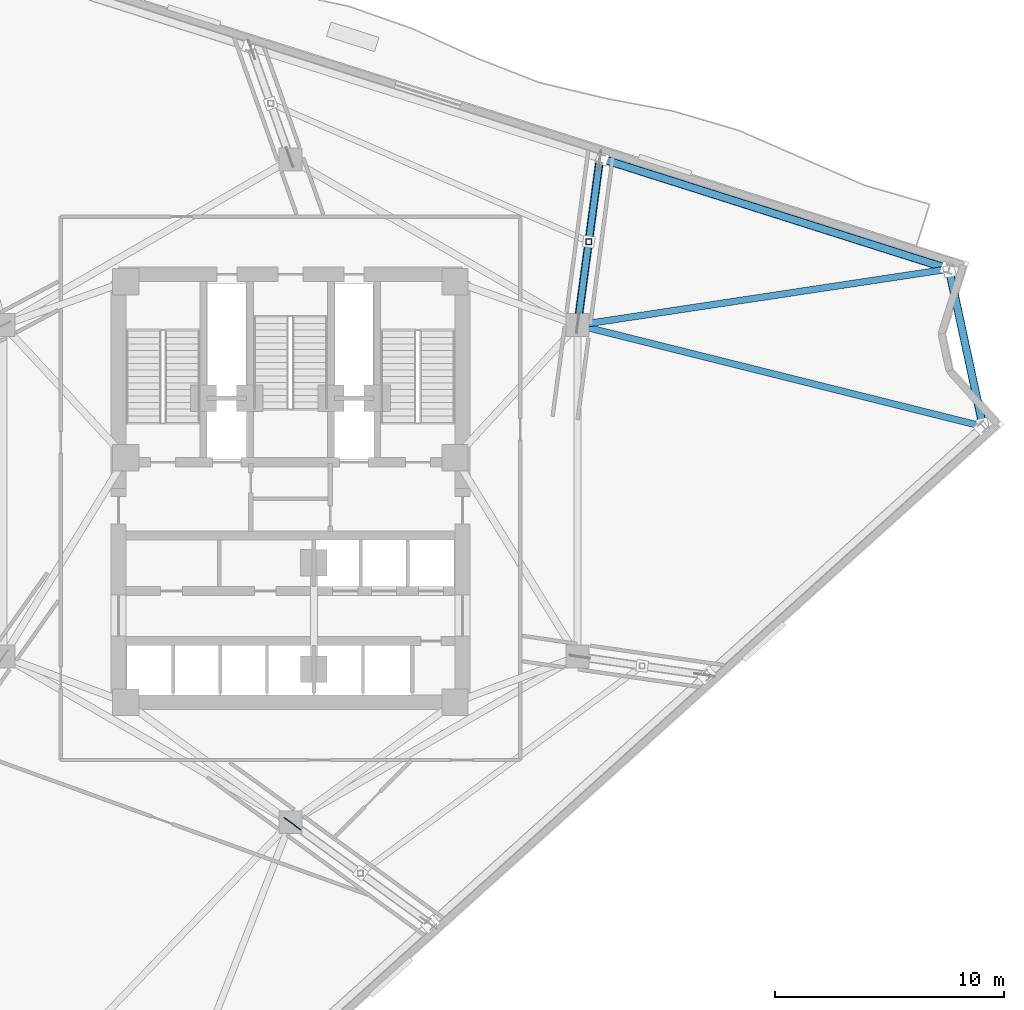
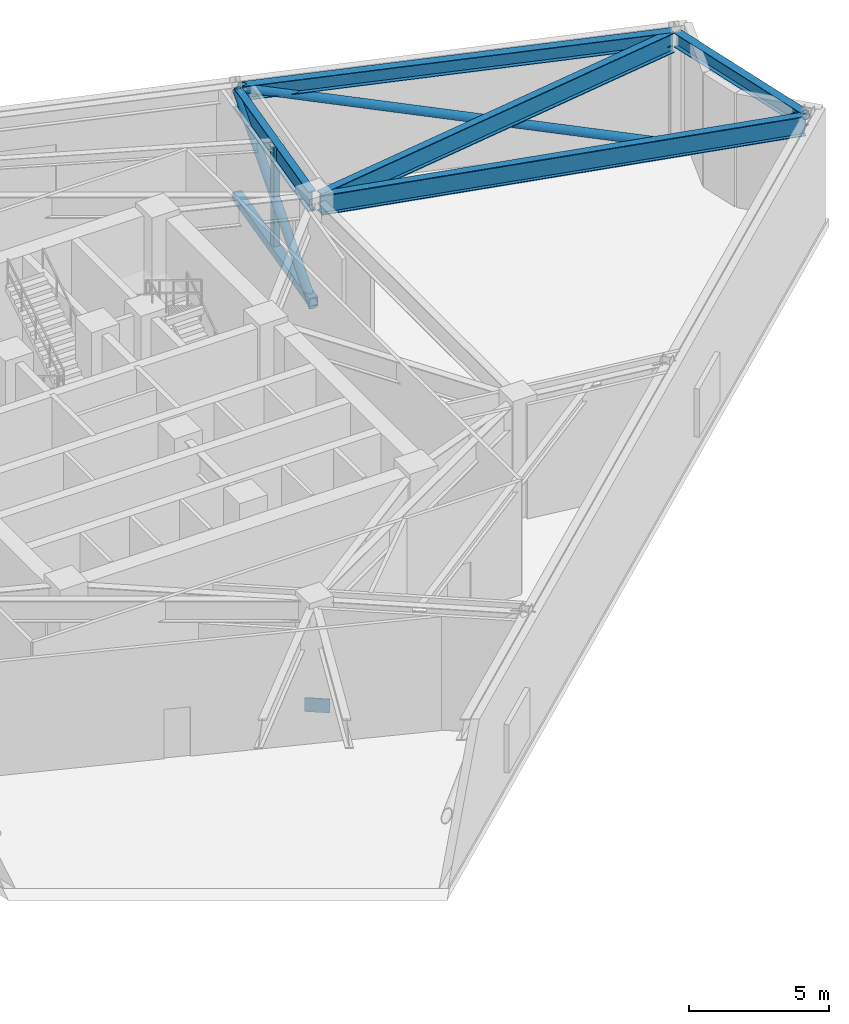
# One storey, part 7 of 16: 5 beams, 5 members, 1 plate.
"""IFC4 building model written with IfcOpenShell, lengths in metres."""

from ifc_helpers import new_model, si_unit, direction, frame, origin, origin_2d, place, context, subcontext, project, spatial, rectangle, hollow_rectangle, hollow_circle, i_section, extrude, material, layer, layer_set, material_profile, profile_set, type_object, element, save


model = new_model("IFC4")

# Units and contexts
model_context = context("Model", 3, precision=1e-05, world=origin(), true_north=direction((0.0, 1.0)))
body_context = subcontext(model_context, "Body", "Model", "MODEL_VIEW")
ifc_project = project(units=[si_unit("LENGTHUNIT", "METRE"), si_unit("AREAUNIT", "SQUARE_METRE"), si_unit("VOLUMEUNIT", "CUBIC_METRE"), si_unit("PLANEANGLEUNIT", "RADIAN"), si_unit("MASSUNIT", "GRAM", prefix="KILO")], contexts=[model_context])

# Site, building, storey
site_placement = place(None, origin())
site = spatial("IfcSite", under=ifc_project, at=site_placement, CompositionType="ELEMENT")
building_placement = place(site_placement, origin())
building = spatial("IfcBuilding", under=site, at=building_placement, Name="Apsidion Concourse Tower", CompositionType="ELEMENT")
storey_placement = place(building_placement, frame((0.0, 0.0, 227.0)))
storey = spatial("IfcBuildingStorey", under=building, at=storey_placement, Name="L53", CompositionType="ELEMENT", Elevation=227.0)

# Beams
ifc_material_1 = material(Name="Structural steel ASTM A992 Grade 50", Category="steel")
ifc_material_profile_1 = material_profile(ifc_material_1, i_section(OverallWidth=0.2919921875, OverallDepth=0.85888671875, WebThickness=0.01708984375, FlangeThickness=0.031005859375, at=origin_2d()), Name="W33X169")
ifc_profile_set_1 = profile_set([ifc_material_profile_1], Name="Structural steel ASTM A992 Grade 50")
beam_type_1 = type_object("IfcBeamType", Name="BM-G-W33", PredefinedType="USERDEFINED", material=ifc_profile_set_1)
beam_1_placement = place(storey_placement, frame((12.7734375, 7.19677734375, 4.5205078125), z_axis=(0.97015368983, -0.242490861907, 0.0), x_axis=(0.242490861907, 0.97015368983, 0.0)))
element("IfcBeam", 1, at=beam_1_placement, inside=storey, type_object=beam_type_1, Name="L53 Radial Floor Girder RAD-08", ObjectType="GIRDER", PredefinedType="USERDEFINED", context=body_context, shape_type="SweptSolid", body=[
    extrude(i_section(OverallWidth=0.2919921875, OverallDepth=0.85888671875, WebThickness=0.01708984375, FlangeThickness=0.031005859375, at=origin_2d()), origin(), (0.0, 0.0, 1.0), 17.96630859375),
])
beam_2_placement = place(storey_placement, frame((12.777587890625, 7.282958984375, 4.5205078125), z_axis=(0.988774311252, 0.149416737377, 0.0), x_axis=(-0.149416737377, 0.988774311252, 0.0)))
element("IfcBeam", 2, at=beam_2_placement, inside=storey, type_object=beam_type_1, Name="L53 Radial Floor Girder RAD-09", ObjectType="GIRDER", PredefinedType="USERDEFINED", context=body_context, shape_type="SweptSolid", body=[
    extrude(i_section(OverallWidth=0.2919921875, OverallDepth=0.85888671875, WebThickness=0.01708984375, FlangeThickness=0.031005859375, at=origin_2d()), origin(), (0.0, 0.0, 1.0), 16.11572265625),
])
beam_3_placement = place(storey_placement, frame((12.589111328125, 7.468017578125, 4.5205078125), z_axis=(0.13290103696, 0.99112931264, 0.0), x_axis=(-0.99112931264, 0.13290103696, 0.0)))
element("IfcBeam", 3, at=beam_3_placement, inside=storey, type_object=beam_type_1, Name="L53 Radial Floor Girder RAD-10", ObjectType="GIRDER", PredefinedType="USERDEFINED", context=body_context, shape_type="SweptSolid", body=[
    extrude(i_section(OverallWidth=0.2919921875, OverallDepth=0.85888671875, WebThickness=0.01708984375, FlangeThickness=0.031005859375, at=origin_2d()), origin(), (0.0, 0.0, 1.0), 7.048583984375),
])
ifc_material_profile_2 = material_profile(ifc_material_1, i_section(OverallWidth=0.324951171875, OverallDepth=0.616943359375, WebThickness=0.013916015625, FlangeThickness=0.021484375, at=origin_2d()), Name="W24X117")
ifc_profile_set_2 = profile_set([ifc_material_profile_2], Name="Structural steel ASTM A992 Grade 50")
beam_type_2 = type_object("IfcBeamType", Name="BM-SP-W24", PredefinedType="SPANDREL", material=ifc_profile_set_2)
beam_4_placement = place(storey_placement, frame((30.279541015625, 2.91357421875, 4.6416015625), z_axis=(-0.211269287353, 0.977427894129, 0.0), x_axis=(-0.977427894129, -0.211269287353, 0.0)))
element("IfcBeam", 4, at=beam_4_placement, inside=storey, type_object=beam_type_2, Name="L53 Perimeter Spandrel Girder SP-08", PredefinedType="SPANDREL", context=body_context, shape_type="SweptSolid", body=[
    extrude(i_section(OverallWidth=0.324951171875, OverallDepth=0.616943359375, WebThickness=0.013916015625, FlangeThickness=0.021484375, at=origin_2d()), origin(), (0.0, 0.0, 1.0), 6.84912109375),
])
beam_5_placement = place(storey_placement, frame((28.716064453125, 9.736083984375, 4.6416015625), z_axis=(-0.953145595639, 0.302511939458, 0.0), x_axis=(-0.302511939458, -0.953145595639, 0.0)))
element("IfcBeam", 5, at=beam_5_placement, inside=storey, type_object=beam_type_2, Name="L53 Perimeter Spandrel Girder SP-09", PredefinedType="SPANDREL", context=body_context, shape_type="SweptSolid", body=[
    extrude(i_section(OverallWidth=0.324951171875, OverallDepth=0.616943359375, WebThickness=0.013916015625, FlangeThickness=0.021484375, at=origin_2d()), origin(), (0.0, 0.0, 1.0), 15.822998046875),
])

# Members
ifc_material_2 = material(Name="Structural steel ASTM A500 Grade C", Category="steel")
ifc_material_profile_3 = material_profile(ifc_material_2, hollow_circle(Radius=0.177978515625, WallThickness=0.02001953125, at=origin_2d()), Name="CHS356X20")
ifc_profile_set_3 = profile_set([ifc_material_profile_3], Name="Structural steel ASTM A500 Grade C")
member_type_1 = type_object("IfcMemberType", Name="MB-BR-CHS356", PredefinedType="BRACE", material=ifc_profile_set_3)
member_1_placement = place(storey_placement, frame((12.5732421875, 7.34912109375, 0.0), z_axis=(0.110065815951, 0.820895790826, 0.560370963526), x_axis=(-0.99113066774, 0.13289093071, 0.0)))
element("IfcMember", 6, at=member_1_placement, inside=storey, type_object=member_type_1, Name="L53 Radial Outrigger Truss Diagonal OT-03", PredefinedType="BRACE", context=body_context, shape_type="SweptSolid", body=[
    extrude(hollow_circle(Radius=0.177978515625, WallThickness=0.02001953125, at=origin_2d()), origin(), (0.0, 0.0, 1.0), 8.6552734375),
])
member_2_placement = place(storey_placement, frame((28.83251953125, 9.608154296875, 0.0), z_axis=(0.172417593958, -0.797682275, 0.577905841331), x_axis=(0.977427894129, 0.211269287353, 0.0)))
element("IfcMember", 7, at=member_2_placement, inside=storey, type_object=member_type_1, Name="L53 Perimeter Belt-Truss Diagonal BT-08", PredefinedType="BRACE", context=body_context, shape_type="SweptSolid", body=[
    extrude(hollow_circle(Radius=0.177978515625, WallThickness=0.02001953125, at=origin_2d()), origin(), (0.0, 0.0, 1.0), 8.392578125),
])
member_3_placement = place(storey_placement, frame((28.716064453125, 9.736083984375, 0.0), z_axis=(-0.911295388697, 0.289229407045, 0.293064949523), x_axis=(-0.302511939458, -0.953145595639, 0.0)))
element("IfcMember", 8, at=member_3_placement, inside=storey, type_object=member_type_1, Name="L53 Perimeter Belt-Truss Diagonal BT-09", PredefinedType="BRACE", context=body_context, shape_type="SweptSolid", body=[
    extrude(hollow_circle(Radius=0.177978515625, WallThickness=0.02001953125, at=origin_2d()), origin(), (0.0, 0.0, 1.0), 16.549560546875),
])
ifc_material_profile_4 = material_profile(ifc_material_2, hollow_rectangle(XDim=0.35009765625, YDim=0.35009765625, WallThickness=0.02197265625, at=origin_2d()), Name="HSS350X350X22")
ifc_profile_set_4 = profile_set([ifc_material_profile_4], Name="Structural steel ASTM A500 Grade C")
member_type_2 = type_object("IfcMemberType", Name="MB-CH-HSS350", PredefinedType="CHORD", material=ifc_profile_set_4)
member_4_placement = place(storey_placement, frame((12.5732421875, 7.34912109375, 0.219970703125), z_axis=(0.13289093071, 0.99113066774, 0.0), x_axis=(-0.99113066774, 0.13289093071, 0.0)))
element("IfcMember", 9, at=member_4_placement, inside=storey, type_object=member_type_2, Name="L53 Radial Outrigger Bottom Chord OTC-03", PredefinedType="CHORD", context=body_context, shape_type="SweptSolid", body=[
    extrude(hollow_rectangle(XDim=0.35009765625, YDim=0.35009765625, WallThickness=0.02197265625, at=origin_2d()), origin(), (0.0, 0.0, 1.0), 7.16845703125),
])
ifc_material_profile_5 = material_profile(ifc_material_2, hollow_rectangle(XDim=0.25, YDim=0.25, WallThickness=0.01611328125, at=origin_2d()), Name="HSS250X250X16")
ifc_profile_set_5 = profile_set([ifc_material_profile_5], Name="Structural steel ASTM A500 Grade C")
member_type_3 = type_object("IfcMemberType", Name="MB-ST-HSS250", PredefinedType="STRUT", material=ifc_profile_set_5)
member_5_placement = place(storey_placement, frame((13.049560546875, 10.901611328125, 0.219970703125), z_axis=(0.0, 0.0, 1.0), x_axis=(1.0, 0.0, 0.0)))
element("IfcMember", 10, at=member_5_placement, inside=storey, type_object=member_type_3, Name="L53 Outrigger Truss Compression Strut OTV-03", PredefinedType="STRUT", context=body_context, shape_type="SweptSolid", body=[
    extrude(hollow_rectangle(XDim=0.25, YDim=0.25, WallThickness=0.01611328125, at=origin_2d()), origin(), (0.0, 0.0, 1.0), 4.630126953125),
])

# Plate
ifc_material_3 = material(Name="Structural steel ASTM A572 Grade 50", Category="steel")
ifc_layer = layer(ifc_material_3, 0.0400390625)
ifc_layer_set = layer_set([ifc_layer], Name="Structural steel ASTM A572 Grade 50")
plate_type = type_object("IfcPlateType", Name="PL-GUSSET-40", PredefinedType="SHEET", material=ifc_layer_set)
plate_placement = place(storey_placement, frame((0.080810546875, -14.558837890625, 0.02001953125), z_axis=(0.0, 0.0, 1.0), x_axis=(-0.808606445738, 0.588349909417, 0.0)))
element("IfcPlate", 11, at=plate_placement, inside=storey, type_object=plate_type, Name="L53 Outrigger Inner Node Gusset Plate ONA-06", PredefinedType="SHEET", context=body_context, shape_type="SweptSolid", body=[
    extrude(rectangle(XDim=0.89990234375, YDim=0.0400390625, at=origin_2d()), origin(), (0.0, 0.0, 1.0), 0.60009765625),
])

save(model, "model.ifc")
